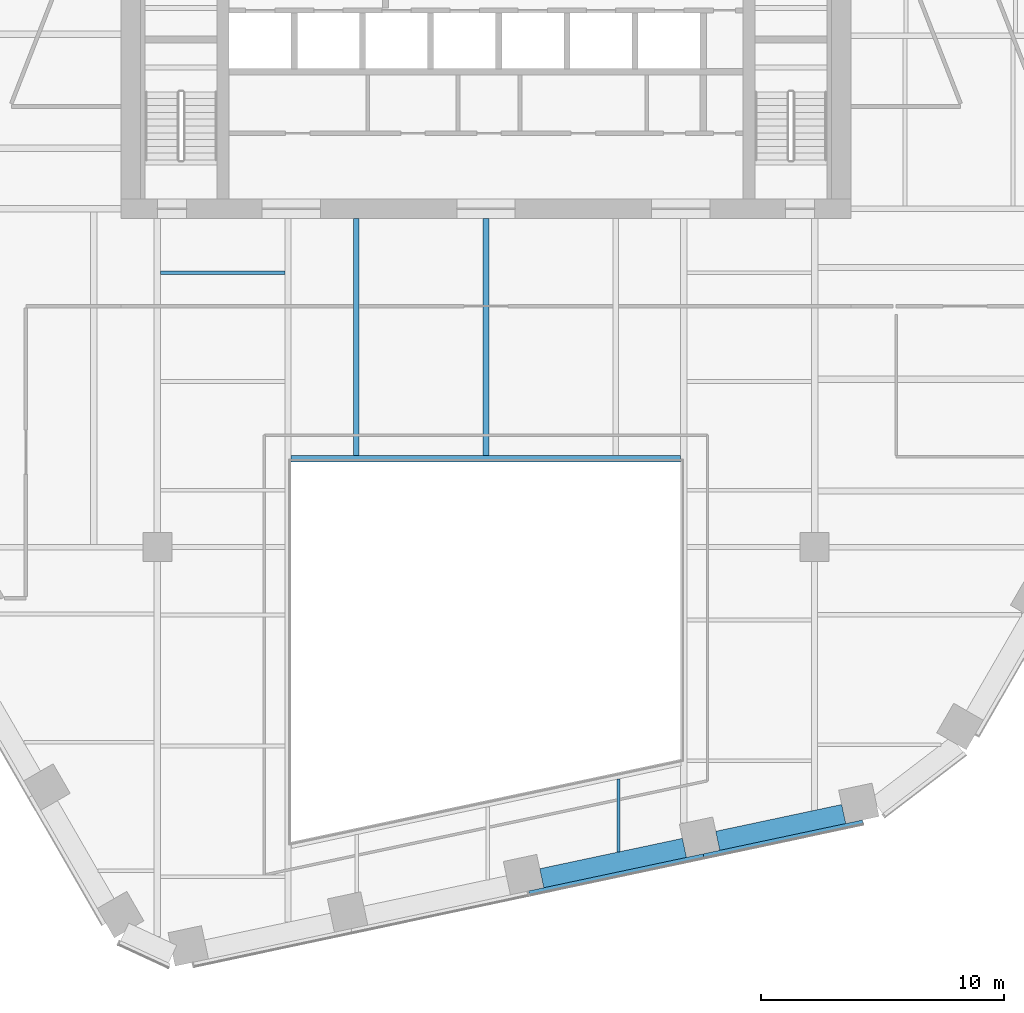
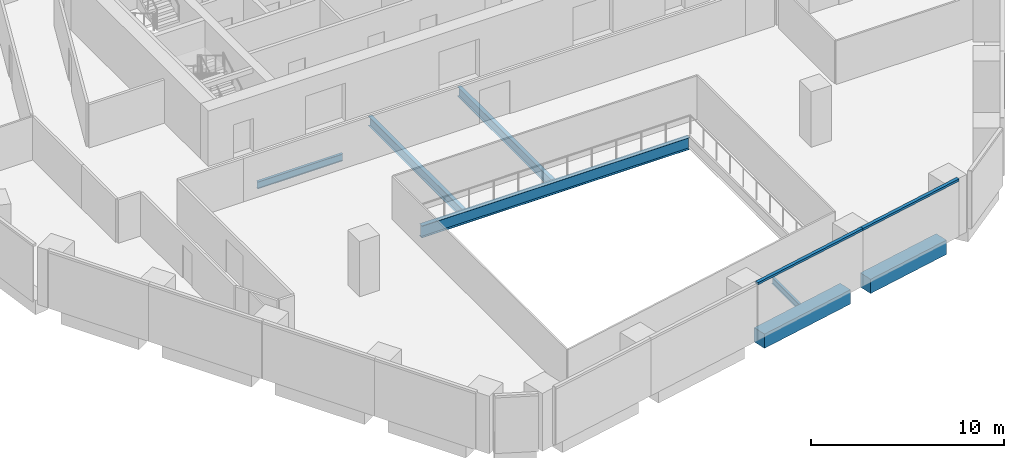
# One storey, part 4 of 16: 7 beams, 2 members, 1 element without a shape of its own.
"""IFC4 building model written with IfcOpenShell, lengths in metres."""

from ifc_helpers import new_model, si_unit, direction, frame, origin, origin_2d, place, context, subcontext, project, spatial, rectangle, i_section, extrude, material, layer, layer_set, material_profile, profile_set, type_object, element, aggregate, save


model = new_model("IFC4")

# Units and contexts
model_context = context("Model", 3, precision=1e-05, world=origin(), true_north=direction((0.0, 1.0)))
body_context = subcontext(model_context, "Body", "Model", "MODEL_VIEW")
ifc_project = project(units=[si_unit("LENGTHUNIT", "METRE"), si_unit("AREAUNIT", "SQUARE_METRE"), si_unit("VOLUMEUNIT", "CUBIC_METRE"), si_unit("PLANEANGLEUNIT", "RADIAN"), si_unit("MASSUNIT", "GRAM", prefix="KILO")], contexts=[model_context])

# Site, building, storey
site_placement = place(None, origin())
site = spatial("IfcSite", under=ifc_project, at=site_placement, CompositionType="ELEMENT")
building_placement = place(site_placement, origin())
building = spatial("IfcBuilding", under=site, at=building_placement, Name="Isthmus Gate Tower", CompositionType="ELEMENT")
storey_placement = place(building_placement, frame((0.0, 0.0, 133.449951171875)))
storey = spatial("IfcBuildingStorey", under=building, at=storey_placement, Name="L32", CompositionType="ELEMENT", Elevation=133.449951171875)

# Curtain wall, members
ifc_material_1 = material(Name="Aluminium, pale champagne anodised", Category="aluminium")
ifc_layer = layer(ifc_material_1, 0.199951171875)
ifc_layer_set = layer_set([ifc_layer], Name="CW-1 UNITISED CURTAIN WALL 200 DEEP")
curtain_wall_type = type_object("IfcCurtainWallType", Name="CW-1 UNITISED CURTAIN WALL 200 DEEP", PredefinedType="NOTDEFINED", material=ifc_layer_set)
curtain_wall_placement = place(storey_placement, origin())
curtain_wall = element("IfcCurtainWall", 1, at=curtain_wall_placement, inside=storey, type_object=curtain_wall_type, Name="CW-1 S L32", PredefinedType="NOTDEFINED")
ifc_material_2 = material(Name="Aluminium, pale champagne anodised", Category="aluminium")
ifc_material_profile_1 = material_profile(ifc_material_2, rectangle(XDim=0.199951171875, YDim=0.139892578125, at=origin_2d()), Name="200x140")
ifc_profile_set_1 = profile_set([ifc_material_profile_1], Name="Aluminium, pale champagne anodised")
member_type = type_object("IfcMemberType", Name="CW-1 TRANSOM 200 X 140", PredefinedType="USERDEFINED", material=ifc_profile_set_1)
member_1_placement = place(storey_placement, frame((1.76953125, -27.72607421875, 3.580078125), z_axis=(0.978146152746, 0.207918502948, 0.0), x_axis=(-0.207918502948, 0.978146152746, 0.0)))
member_1 = element("IfcMember", 2, at=member_1_placement, type_object=member_type, Name="CW-1 transom", ObjectType="TRANSOM", PredefinedType="USERDEFINED", context=body_context, shape_type="SweptSolid", body=[
    extrude(rectangle(XDim=0.199951171875, YDim=0.139892578125, at=origin_2d()), origin(), (0.0, 0.0, 1.0), 7.33056640625),
])
member_2_placement = place(storey_placement, frame((8.93994140625, -26.201904296875, 3.580078125), z_axis=(0.978147628551, 0.207911559946, 0.0), x_axis=(-0.207911559946, 0.978147628551, 0.0)))
member_2 = element("IfcMember", 3, at=member_2_placement, type_object=member_type, Name="CW-1 transom", ObjectType="TRANSOM", PredefinedType="USERDEFINED", context=body_context, shape_type="SweptSolid", body=[
    extrude(rectangle(XDim=0.199951171875, YDim=0.139892578125, at=origin_2d()), origin(), (0.0, 0.0, 1.0), 6.69091796875),
])
aggregate(curtain_wall, [member_1, member_2])

# Beams
ifc_material_3 = material(Name="Concrete f'c 60 MPa", Category="concrete")
ifc_material_profile_2 = material_profile(ifc_material_3, rectangle(XDim=0.800048828125, YDim=0.89990234375, at=origin_2d()), Name="RC 800X900")
ifc_profile_set_2 = profile_set([ifc_material_profile_2], Name="Concrete f'c 60 MPa")
beam_type_1 = type_object("IfcBeamType", Name="RC SPANDREL 800 X 900", PredefinedType="SPANDREL", material=ifc_profile_set_2)
beam_1_placement = place(storey_placement, frame((14.696044921875, -24.46728515625, -0.449951171875), z_axis=(-0.978145479826, -0.207921668653, 0.0), x_axis=(0.207921668653, -0.978145479826, 0.0)))
element("IfcBeam", 4, at=beam_1_placement, inside=storey, type_object=beam_type_1, Name="str-spandrel-L32-11", PredefinedType="SPANDREL", context=body_context, shape_type="SweptSolid", body=[
    extrude(rectangle(XDim=0.800048828125, YDim=0.89990234375, at=origin_2d()), origin(), (0.0, 0.0, 1.0), 5.291015625),
])
beam_2_placement = place(storey_placement, frame((8.1513671875, -25.8583984375, -0.449951171875), z_axis=(-0.978145798872, -0.20792016773, 0.0), x_axis=(0.20792016773, -0.978145798872, 0.0)))
element("IfcBeam", 5, at=beam_2_placement, inside=storey, type_object=beam_type_1, Name="str-spandrel-L32-12", PredefinedType="SPANDREL", context=body_context, shape_type="SweptSolid", body=[
    extrude(rectangle(XDim=0.800048828125, YDim=0.89990234375, at=origin_2d()), origin(), (0.0, 0.0, 1.0), 5.99072265625),
])
ifc_material_4 = material(Name="Structural steel ASTM A992 Gr 50", Category="steel")
ifc_material_profile_3 = material_profile(ifc_material_4, i_section(OverallWidth=0.1396484375, OverallDepth=0.4033203125, WebThickness=0.00634765625, FlangeThickness=0.010986328125, at=origin_2d()), Name="W16X31")
ifc_profile_set_3 = profile_set([ifc_material_profile_3], Name="Structural steel ASTM A992 Gr 50")
beam_type_2 = type_object("IfcBeamType", Name="STEEL FLOOR BEAM W16X31", PredefinedType="JOIST", material=ifc_profile_set_3)
beam_3_placement = place(storey_placement, frame((5.443115234375, -26.025146484375, -0.3515625), z_axis=(0.0, 1.0, 0.0), x_axis=(-1.0, 0.0, 0.0)))
element("IfcBeam", 6, at=beam_3_placement, inside=storey, type_object=beam_type_2, Name="str-beam-L32-07-02", PredefinedType="JOIST", context=body_context, shape_type="SweptSolid", body=[
    extrude(i_section(OverallWidth=0.1396484375, OverallDepth=0.4033203125, WebThickness=0.00634765625, FlangeThickness=0.010986328125, at=origin_2d()), origin(), (0.0, 0.0, 1.0), 2.998779296875),
])
ifc_material_5 = material(Name="Structural steel ASTM A992 Gr 50", Category="steel")
ifc_material_profile_4 = material_profile(ifc_material_5, i_section(OverallWidth=0.15234375, OverallDepth=0.45068359375, WebThickness=0.0078125, FlangeThickness=0.010986328125, at=origin_2d()), Name="W18X35")
ifc_profile_set_4 = profile_set([ifc_material_profile_4], Name="Structural steel ASTM A992 Gr 50")
beam_type_3 = type_object("IfcBeamType", Name="STEEL FLOOR BEAM W18X35", PredefinedType="JOIST", material=ifc_profile_set_4)
beam_4_placement = place(storey_placement, frame((-13.3681640625, -2.232421875, -0.375244140625), z_axis=(1.0, 0.0, 0.0), x_axis=(0.0, 1.0, 0.0)))
element("IfcBeam", 7, at=beam_4_placement, inside=storey, type_object=beam_type_3, Name="str-beam-L32-04-02", PredefinedType="JOIST", context=body_context, shape_type="SweptSolid", body=[
    extrude(i_section(OverallWidth=0.15234375, OverallDepth=0.45068359375, WebThickness=0.0078125, FlangeThickness=0.010986328125, at=origin_2d()), origin(), (0.0, 0.0, 1.0), 5.1015625),
])
ifc_material_6 = material(Name="Structural steel ASTM A992 Gr 50", Category="steel")
ifc_material_profile_5 = material_profile(ifc_material_6, i_section(OverallWidth=0.228515625, OverallDepth=0.603271484375, WebThickness=0.010986328125, FlangeThickness=0.014404296875, at=origin_2d()), Name="W24X68")
ifc_profile_set_5 = profile_set([ifc_material_profile_5], Name="Structural steel ASTM A992 Gr 50")
beam_type_4 = type_object("IfcBeamType", Name="STEEL FLOOR BEAM W24X68", PredefinedType="JOIST", material=ifc_profile_set_5)
for number, where, z_axis, x_axis, name in (
    (8, (-5.333251953125, -9.7333984375, -0.45166015625), (0.0, 1.0, 0.0), (-1.0, 0.0, 0.0), "str-beam-L32-06-00"),
    (9, (0.0, -9.7333984375, -0.45166015625), (0.0, 1.0, 0.0), (-1.0, 0.0, 0.0), "str-beam-L32-06-01"),
):
    element("IfcBeam", number, at=place(storey_placement, frame(where, z_axis=z_axis, x_axis=x_axis)), inside=storey, type_object=beam_type_4, Name=name, PredefinedType="JOIST", context=body_context, shape_type="SweptSolid", body=[
        extrude(i_section(OverallWidth=0.228515625, OverallDepth=0.603271484375, WebThickness=0.010986328125, FlangeThickness=0.014404296875, at=origin_2d()), origin(), (0.0, 0.0, 1.0), 9.7333984375),
    ])
ifc_material_7 = material(Name="Structural steel ASTM A992 Gr 50", Category="steel")
ifc_material_profile_6 = material_profile(ifc_material_7, i_section(OverallWidth=0.2666015625, OverallDepth=0.7587890625, WebThickness=0.014404296875, FlangeThickness=0.01904296875, at=origin_2d()), Name="W30X108")
ifc_profile_set_6 = profile_set([ifc_material_profile_6], Name="Structural steel ASTM A992 Gr 50")
beam_type_5 = type_object("IfcBeamType", Name="STEEL TRIMMER W30X108", PredefinedType="BEAM", material=ifc_profile_set_6)
beam_5_placement = place(storey_placement, frame((8.0, -9.86669921875, -0.529296875), z_axis=(-1.0, 0.0, 0.0), x_axis=(0.0, -1.0, 0.0)))
element("IfcBeam", 10, at=beam_5_placement, inside=storey, type_object=beam_type_5, Name="str-trimmer-L32-04", PredefinedType="BEAM", context=body_context, shape_type="SweptSolid", body=[
    extrude(i_section(OverallWidth=0.2666015625, OverallDepth=0.7587890625, WebThickness=0.014404296875, FlangeThickness=0.01904296875, at=origin_2d()), origin(), (0.0, 0.0, 1.0), 16.0),
])

save(model, "model.ifc")
